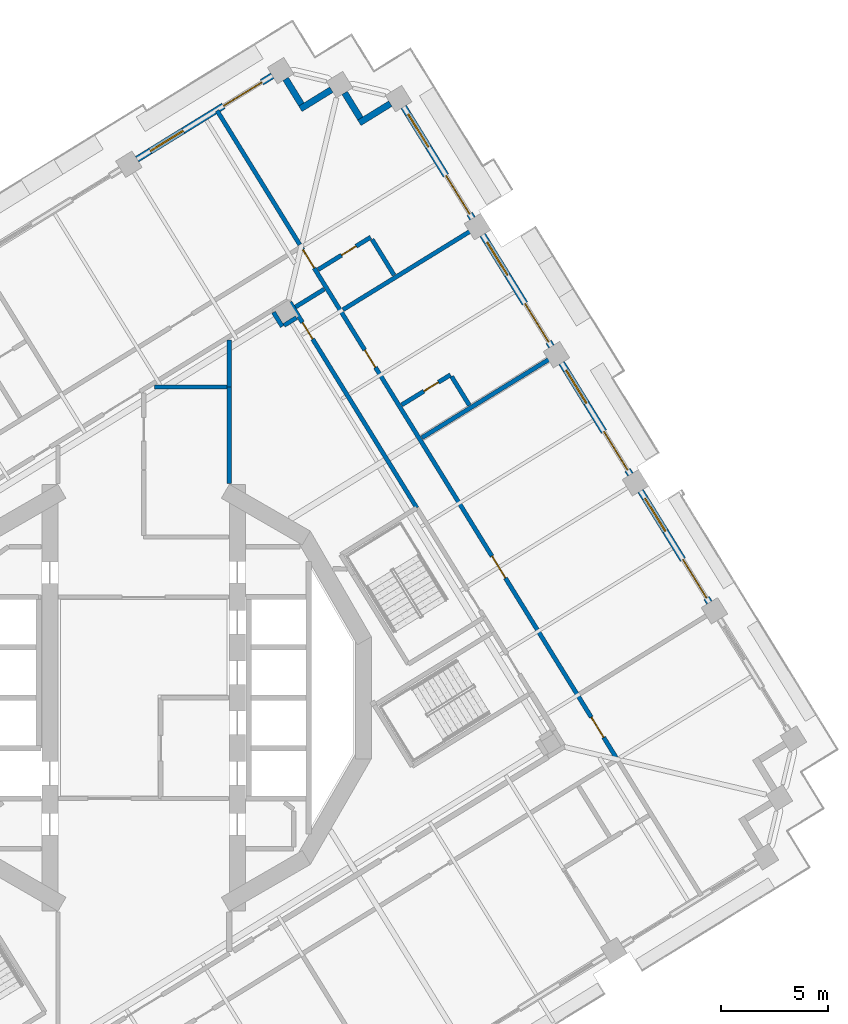
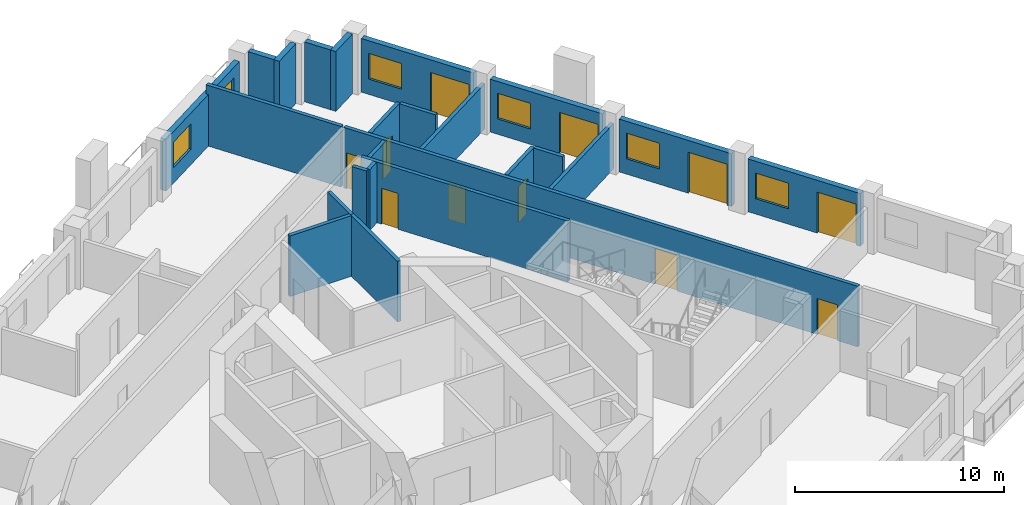
# One storey, part 10 of 20: 24 walls, 12 doors, 5 windows, 17 openings.
"""IFC4 building model written with IfcOpenShell, lengths in metres."""

from ifc_helpers import new_model, si_unit, direction, frame, frame_2d, origin, place, context, subcontext, project, spatial, rectangle, extrude, material, layer, layer_set, type_object, element, fill, save


model = new_model("IFC4")

# Units and contexts
model_context = context("Model", 3, precision=1e-05, world=origin(), true_north=direction((0.0, 1.0)))
body_context = subcontext(model_context, "Body", "Model", "MODEL_VIEW")
ifc_project = project(units=[si_unit("LENGTHUNIT", "METRE"), si_unit("AREAUNIT", "SQUARE_METRE"), si_unit("VOLUMEUNIT", "CUBIC_METRE"), si_unit("PLANEANGLEUNIT", "RADIAN"), si_unit("MASSUNIT", "GRAM", prefix="KILO")], contexts=[model_context])

# Site, building, storey
site_placement = place(None, origin())
site = spatial("IfcSite", under=ifc_project, at=site_placement, CompositionType="ELEMENT")
building_placement = place(site_placement, origin())
building = spatial("IfcBuilding", under=site, at=building_placement, Name="Cantera Rosa Tower", CompositionType="ELEMENT")
storey_placement = place(building_placement, frame((0.0, 0.0, 151.39990234375)))
storey = spatial("IfcBuildingStorey", under=building, at=storey_placement, Name="L32", CompositionType="ELEMENT", Elevation=151.39990234375)

# Walls
ifc_material_1 = material(Name="Gypsum board partition")
ifc_layer_1 = layer(ifc_material_1, 0.199951171875)
ifc_layer_set_1 = layer_set([ifc_layer_1], Name="CORRIDOR WALL 200 H3550")
wall_type_1 = type_object("IfcWallType", Name="CORRIDOR WALL 200 H3550", PredefinedType="PARTITIONING", material=ifc_layer_set_1)
wall_1_placement = place(storey_placement, frame((3.89990234375, 14.5, 0.0), z_axis=(0.0, 0.0, 1.0), x_axis=(-1.0, 0.0, 0.0)))
element("IfcWall", 1, at=wall_1_placement, inside=storey, type_object=wall_type_1, Name="CORRIDOR WALL L32-069", PredefinedType="PARTITIONING", context=body_context, shape_type="SweptSolid", body=[
    extrude(rectangle(XDim=3.38623046875, YDim=0.199951171875, at=frame_2d((1.693115234375, 0.0))), origin(), (0.0, 0.0, 1.0), 3.550048828125),
])
wall_2_placement = place(storey_placement, frame((4.0, 14.5, 0.0), z_axis=(0.0, 0.0, 1.0), x_axis=(0.0, 1.0, 0.0)))
element("IfcWall", 2, at=wall_2_placement, inside=storey, type_object=wall_type_1, Name="CORRIDOR WALL L32-070", PredefinedType="PARTITIONING", context=body_context, shape_type="SweptSolid", body=[
    extrude(rectangle(XDim=2.2001953125, YDim=0.199951171875, at=frame_2d((1.10009765625, 0.0))), origin(), (0.0, 0.0, 1.0), 3.550048828125),
])
wall_3_placement = place(storey_placement, frame((7.08154296875, 18.234619140625, 0.0), z_axis=(0.0, 0.0, 1.0), x_axis=(0.8511858258, 0.524864449127, 0.0)))
element("IfcWall", 3, at=wall_3_placement, inside=storey, type_object=wall_type_1, Name="CORRIDOR WALL L32-082", PredefinedType="PARTITIONING", context=body_context, shape_type="SweptSolid", body=[
    extrude(rectangle(XDim=1.580078125, YDim=0.199951171875, at=frame_2d((0.7900390625, 0.0))), origin(), (0.0, 0.0, 1.0), 3.550048828125),
])

# Wall, opening, door
wall_4_placement = place(storey_placement, frame((12.74560546875, 8.861328125, 0.0), z_axis=(0.0, 0.0, 1.0), x_axis=(-0.524983574612, 0.851112358263, 0.0)))
wall_4 = element("IfcWall", 4, at=wall_4_placement, inside=storey, type_object=wall_type_1, Name="CORRIDOR WALL L32-099", PredefinedType="PARTITIONING", context=body_context, shape_type="SweptSolid", body=[
    extrude(rectangle(XDim=11.279296875, YDim=0.199951171875, at=frame_2d((5.6396484375, 0.0))), origin(), (0.0, 0.0, 1.0), 3.550048828125),
])
opening_1_placement = place(wall_4_placement, frame((9.26171875, 0.0, 0.0)))
opening_1 = element("IfcOpeningElement", 5, at=opening_1_placement, cuts=wall_4, Name="Opening L32-005", PredefinedType="OPENING", context=body_context, shape_type="SweptSolid", body=[
    extrude(rectangle(XDim=0.89990234375, YDim=2.10009765625, at=frame_2d((0.449951171875, 1.050048828125))), frame((0.0, 0.10986328125, 0.0), z_axis=(0.0, -1.0, 0.0), x_axis=(1.0, 0.0, 0.0)), (0.0, 0.0, 1.0), 0.219970703125),
])
ifc_material_2 = material(Name="Timber door leaf", Category="wood")
door_type_1 = type_object("IfcDoorType", Name="SERVICE DOOR 900x2100", OperationType="NOTDEFINED", PredefinedType="DOOR", material=ifc_material_2)
door_1_placement = place(opening_1_placement, origin())
door_1 = element("IfcDoor", 6, at=door_1_placement, inside=storey, type_object=door_type_1, Name="DOOR L32-005", OperationType="NOTDEFINED", OverallHeight=2.10009765625, OverallWidth=0.89990234375, PredefinedType="DOOR", context=body_context, shape_type="SweptSolid", body=[
    extrude(rectangle(XDim=0.89990234375, YDim=2.10009765625, at=frame_2d((0.449951171875, 1.050048828125))), frame((0.0, 0.02490234375, 0.0), z_axis=(0.0, -1.0, 0.0), x_axis=(1.0, 0.0, 0.0)), (0.0, 0.0, 1.0), 0.050048828125),
])
fill(opening_1, door_1)

# Wall, openings, doors
wall_5_placement = place(storey_placement, frame((22.047607421875, -2.791015625, 0.0), z_axis=(0.0, 0.0, 1.0), x_axis=(-0.524972822833, 0.851118990087, 0.0)))
wall_5 = element("IfcWall", 7, at=wall_5_placement, inside=storey, type_object=wall_type_1, Name="CORRIDOR WALL L32-115", PredefinedType="PARTITIONING", context=body_context, shape_type="SweptSolid", body=[
    extrude(rectangle(XDim=28.0, YDim=0.199951171875, at=frame_2d((14.0, 0.0))), origin(), (0.0, 0.0, 1.0), 3.550048828125),
])
opening_2_placement = place(wall_5_placement, frame((9.840087890625, 0.0, 0.0)))
opening_2 = element("IfcOpeningElement", 8, at=opening_2_placement, cuts=wall_5, Name="Opening L32-019", PredefinedType="OPENING", context=body_context, shape_type="SweptSolid", body=[
    extrude(rectangle(XDim=1.199951171875, YDim=2.10009765625, at=frame_2d((0.60009765625, 1.050048828125))), frame((0.0, 0.10986328125, 0.0), z_axis=(0.0, -1.0, 0.0), x_axis=(1.0, 0.0, 0.0)), (0.0, 0.0, 1.0), 0.219970703125),
])
opening_3_placement = place(wall_5_placement, frame((21.39501953125, 0.0, 0.0)))
opening_3 = element("IfcOpeningElement", 9, at=opening_3_placement, cuts=wall_5, Name="Opening L32-020", PredefinedType="OPENING", context=body_context, shape_type="SweptSolid", body=[
    extrude(rectangle(XDim=0.949951171875, YDim=2.10009765625, at=frame_2d((0.47509765625, 1.050048828125))), frame((0.0, 0.10986328125, 0.0), z_axis=(0.0, -1.0, 0.0), x_axis=(1.0, 0.0, 0.0)), (0.0, 0.0, 1.0), 0.219970703125),
])
opening_4_placement = place(wall_5_placement, frame((1.110107421875, 0.0, 0.0)))
opening_4 = element("IfcOpeningElement", 10, at=opening_4_placement, cuts=wall_5, Name="Opening L32-022", PredefinedType="OPENING", context=body_context, shape_type="SweptSolid", body=[
    extrude(rectangle(XDim=1.10009765625, YDim=2.10009765625, at=frame_2d((0.550048828125, 1.050048828125))), frame((0.0, 0.10986328125, 0.0), z_axis=(0.0, -1.0, 0.0), x_axis=(1.0, 0.0, 0.0)), (0.0, 0.0, 1.0), 0.219970703125),
])
opening_5_placement = place(wall_5_placement, frame((26.840087890625, 0.0, 0.0)))
opening_5 = element("IfcOpeningElement", 11, at=opening_5_placement, cuts=wall_5, Name="Opening L32-023", PredefinedType="OPENING", context=body_context, shape_type="SweptSolid", body=[
    extrude(rectangle(XDim=1.0, YDim=2.10009765625, at=frame_2d((0.5, 1.050048828125))), frame((0.0, 0.10986328125, 0.0), z_axis=(0.0, -1.0, 0.0), x_axis=(1.0, 0.0, 0.0)), (0.0, 0.0, 1.0), 0.219970703125),
])
ifc_material_3 = material(Name="Timber door leaf", Category="wood")
door_type_2 = type_object("IfcDoorType", Name="ENTRANCE DOOR 1000x2100", OperationType="NOTDEFINED", PredefinedType="DOOR", material=ifc_material_3)
door_2_placement = place(opening_5_placement, origin())
door_2 = element("IfcDoor", 12, at=door_2_placement, inside=storey, type_object=door_type_2, Name="DOOR L32-023", OperationType="NOTDEFINED", OverallHeight=2.10009765625, OverallWidth=1.0, PredefinedType="DOOR", context=body_context, shape_type="SweptSolid", body=[
    extrude(rectangle(XDim=1.0, YDim=2.10009765625, at=frame_2d((0.5, 1.050048828125))), frame((0.0, 0.02490234375, 0.0), z_axis=(0.0, -1.0, 0.0), x_axis=(1.0, 0.0, 0.0)), (0.0, 0.0, 1.0), 0.050048828125),
])
fill(opening_5, door_2)
ifc_material_4 = material(Name="Timber door leaf", Category="wood")
door_type_3 = type_object("IfcDoorType", Name="ROOM DOOR 1100x2100", OperationType="NOTDEFINED", PredefinedType="DOOR", material=ifc_material_4)
door_3_placement = place(opening_4_placement, origin())
door_3 = element("IfcDoor", 13, at=door_3_placement, inside=storey, type_object=door_type_3, Name="DOOR L32-022", OperationType="NOTDEFINED", OverallHeight=2.10009765625, OverallWidth=1.10009765625, PredefinedType="DOOR", context=body_context, shape_type="SweptSolid", body=[
    extrude(rectangle(XDim=1.10009765625, YDim=2.10009765625, at=frame_2d((0.550048828125, 1.050048828125))), frame((0.0, 0.02490234375, 0.0), z_axis=(0.0, -1.0, 0.0), x_axis=(1.0, 0.0, 0.0)), (0.0, 0.0, 1.0), 0.050048828125),
])
fill(opening_4, door_3)
ifc_material_5 = material(Name="Timber door leaf", Category="wood")
door_type_4 = type_object("IfcDoorType", Name="ROOM DOOR 1200x2100", OperationType="NOTDEFINED", PredefinedType="DOOR", material=ifc_material_5)
door_4_placement = place(opening_2_placement, origin())
door_4 = element("IfcDoor", 14, at=door_4_placement, inside=storey, type_object=door_type_4, Name="DOOR L32-019", OperationType="NOTDEFINED", OverallHeight=2.10009765625, OverallWidth=1.199951171875, PredefinedType="DOOR", context=body_context, shape_type="SweptSolid", body=[
    extrude(rectangle(XDim=1.199951171875, YDim=2.10009765625, at=frame_2d((0.60009765625, 1.050048828125))), frame((0.0, 0.02490234375, 0.0), z_axis=(0.0, -1.0, 0.0), x_axis=(1.0, 0.0, 0.0)), (0.0, 0.0, 1.0), 0.050048828125),
])
fill(opening_2, door_4)
ifc_material_6 = material(Name="Timber door leaf", Category="wood")
door_type_5 = type_object("IfcDoorType", Name="ROOM DOOR 950x2100", OperationType="NOTDEFINED", PredefinedType="DOOR", material=ifc_material_6)
door_5_placement = place(opening_3_placement, origin())
door_5 = element("IfcDoor", 15, at=door_5_placement, inside=storey, type_object=door_type_5, Name="DOOR L32-020", OperationType="NOTDEFINED", OverallHeight=2.10009765625, OverallWidth=0.949951171875, PredefinedType="DOOR", context=body_context, shape_type="SweptSolid", body=[
    extrude(rectangle(XDim=0.949951171875, YDim=2.10009765625, at=frame_2d((0.47509765625, 1.050048828125))), frame((0.0, 0.02490234375, 0.0), z_axis=(0.0, -1.0, 0.0), x_axis=(1.0, 0.0, 0.0)), (0.0, 0.0, 1.0), 0.050048828125),
])
fill(opening_3, door_5)

# Walls
ifc_material_7 = material(Name="Hollow clay masonry with cantera stone cladding", Category="masonry")
ifc_layer_2 = layer(ifc_material_7, 0.300048828125)
ifc_layer_set_2 = layer_set([ifc_layer_2], Name="EW-LOGGIA 300")
wall_type_2 = type_object("IfcWallType", Name="EW-LOGGIA 300", PredefinedType="SOLIDWALL", material=ifc_layer_set_2)
wall_6_placement = place(storey_placement, frame((11.51123046875, 27.72021484375, 0.0), z_axis=(0.0, 0.0, 1.0), x_axis=(-0.851130227454, -0.524954603669, 0.0)))
element("IfcWall", 16, at=wall_6_placement, inside=storey, type_object=wall_type_2, Name="EN-L32-W06a", PredefinedType="SOLIDWALL", context=body_context, shape_type="SweptSolid", body=[
    extrude(rectangle(XDim=1.699951171875, YDim=0.300048828125, at=frame_2d((0.85009765625, 0.0))), origin(), (0.0, 0.0, 1.0), 3.5),
])
wall_7_placement = place(storey_placement, frame((10.11328125, 27.0341796875, 0.0), z_axis=(0.0, 0.0, 1.0), x_axis=(-0.524895019961, 0.85116697423, 0.0)))
element("IfcWall", 17, at=wall_7_placement, inside=storey, type_object=wall_type_2, Name="EN-L32-W06b", PredefinedType="SOLIDWALL", context=body_context, shape_type="SweptSolid", body=[
    extrude(rectangle(XDim=1.39990234375, YDim=0.300048828125, at=frame_2d((0.699951171875, 0.0))), origin(), (0.0, 0.0, 1.0), 3.5),
])
wall_8_placement = place(storey_placement, frame((8.75927734375, 28.37255859375, 0.0), z_axis=(0.0, 0.0, 1.0), x_axis=(-0.851105638601, -0.524994468487, 0.0)))
element("IfcWall", 18, at=wall_8_placement, inside=storey, type_object=wall_type_2, Name="EN-L32-W07a", PredefinedType="SOLIDWALL", context=body_context, shape_type="SweptSolid", body=[
    extrude(rectangle(XDim=1.7001953125, YDim=0.300048828125, at=frame_2d((0.85009765625, 0.0))), origin(), (0.0, 0.0, 1.0), 3.5),
])
wall_9_placement = place(storey_placement, frame((7.361083984375, 27.6865234375, 0.0), z_axis=(0.0, 0.0, 1.0), x_axis=(-0.524895019961, 0.85116697423, 0.0)))
element("IfcWall", 19, at=wall_9_placement, inside=storey, type_object=wall_type_2, Name="EN-L32-W07b", PredefinedType="SOLIDWALL", context=body_context, shape_type="SweptSolid", body=[
    extrude(rectangle(XDim=1.39990234375, YDim=0.300048828125, at=frame_2d((0.699951171875, 0.0))), origin(), (0.0, 0.0, 1.0), 3.5),
])

# Wall, openings, window, door
ifc_material_8 = material(Name="Hollow clay masonry with cantera stone cladding", Category="masonry")
ifc_layer_3 = layer(ifc_material_8, 0.300048828125)
ifc_layer_set_3 = layer_set([ifc_layer_3], Name="EW-LOGGIA 300 H3020")
wall_type_3 = type_object("IfcWallType", Name="EW-LOGGIA 300 H3020", PredefinedType="SOLIDWALL", material=ifc_layer_set_3)
wall_10_placement = place(storey_placement, frame((6.007080078125, 29.02490234375, 0.0), z_axis=(0.0, 0.0, 1.0), x_axis=(-0.851111085575, -0.524985637909, 0.0)))
wall_10 = element("IfcWall", 20, at=wall_10_placement, inside=storey, type_object=wall_type_3, Name="EN-L32-W08", PredefinedType="SOLIDWALL", context=body_context, shape_type="SweptSolid", body=[
    extrude(rectangle(XDim=7.420166015625, YDim=0.300048828125, at=frame_2d((3.7099609375, 0.0))), origin(), (0.0, 0.0, 1.0), 3.02001953125),
])
opening_6_placement = place(wall_10_placement, frame((0.580078125, 0.0, 0.0)))
opening_6 = element("IfcOpeningElement", 21, at=opening_6_placement, cuts=wall_10, Name="Opening L32-TD11", PredefinedType="OPENING", context=body_context, shape_type="SweptSolid", body=[
    extrude(rectangle(XDim=2.10009765625, YDim=2.39990234375, at=frame_2d((1.050048828125, 1.199951171875))), frame((0.0, 0.159912109375, 0.0), z_axis=(0.0, -1.0, 0.0), x_axis=(1.0, 0.0, 0.0)), (0.0, 0.0, 1.0), 0.320068359375),
])
opening_7_placement = place(wall_10_placement, frame((4.889892578125, 0.0, 0.89990234375)))
opening_7 = element("IfcOpeningElement", 22, at=opening_7_placement, cuts=wall_10, Name="Opening L32-W12", PredefinedType="OPENING", context=body_context, shape_type="SweptSolid", body=[
    extrude(rectangle(XDim=1.800048828125, YDim=1.5, at=frame_2d((0.89990234375, 0.75))), frame((0.0, 0.159912109375, 0.0), z_axis=(0.0, -1.0, 0.0), x_axis=(1.0, 0.0, 0.0)), (0.0, 0.0, 1.0), 0.320068359375),
])
ifc_material_9 = material(Name="Aluminium frame with clear glass", Category="aluminium")
window_type = type_object("IfcWindowType", Name="Hotel room window 1800x1500", PartitioningType="DOUBLE_PANEL_VERTICAL", PredefinedType="WINDOW", material=ifc_material_9)
window_1_placement = place(opening_7_placement, origin())
window_1 = element("IfcWindow", 23, at=window_1_placement, inside=storey, type_object=window_type, Name="WINDOW L32-W12", OverallHeight=1.5, OverallWidth=1.800048828125, PartitioningType="SINGLE_PANEL", PredefinedType="WINDOW", context=body_context, shape_type="SweptSolid", body=[
    extrude(rectangle(XDim=1.800048828125, YDim=1.5, at=frame_2d((0.89990234375, 0.75))), frame((0.0, 0.030029296875, 0.0), z_axis=(0.0, -1.0, 0.0), x_axis=(1.0, 0.0, 0.0)), (0.0, 0.0, 1.0), 0.06005859375),
])
fill(opening_7, window_1)
ifc_material_10 = material(Name="Aluminium frame with clear glass", Category="aluminium")
door_type_6 = type_object("IfcDoorType", Name="TD-H 2100x2400", OperationType="NOTDEFINED", PredefinedType="DOOR", material=ifc_material_10)
door_6_placement = place(opening_6_placement, origin())
door_6 = element("IfcDoor", 24, at=door_6_placement, inside=storey, type_object=door_type_6, Name="LOGGIA DOOR L32-TD11", OperationType="SLIDING_TO_LEFT", OverallHeight=2.39990234375, OverallWidth=2.10009765625, PredefinedType="DOOR", context=body_context, shape_type="SweptSolid", body=[
    extrude(rectangle(XDim=2.10009765625, YDim=2.39990234375, at=frame_2d((1.050048828125, 1.199951171875))), frame((0.0, 0.02490234375, 0.0), z_axis=(0.0, -1.0, 0.0), x_axis=(1.0, 0.0, 0.0)), (0.0, 0.0, 1.0), 0.050048828125),
])
fill(opening_6, door_6)

ifc_material_11 = material(Name="Hollow clay masonry with cantera stone cladding", Category="masonry")
ifc_layer_4 = layer(ifc_material_11, 0.300048828125)
ifc_layer_set_4 = layer_set([ifc_layer_4], Name="EW-LOGGIA 300 H3090")
wall_type_4 = type_object("IfcWallType", Name="EW-LOGGIA 300 H3090", PredefinedType="SOLIDWALL", material=ifc_layer_set_4)
wall_11_placement = place(storey_placement, frame((26.3994140625, 4.440185546875, 0.0), z_axis=(0.0, 0.0, 1.0), x_axis=(-0.524987447654, 0.851109969279, 0.0)))
wall_11 = element("IfcWall", 25, at=wall_11_placement, inside=storey, type_object=wall_type_4, Name="EN-L32-W02", PredefinedType="SOLIDWALL", context=body_context, shape_type="SweptSolid", body=[
    extrude(rectangle(XDim=6.119873046875, YDim=0.300048828125, at=frame_2d((3.06005859375, 0.0))), origin(), (0.0, 0.0, 1.0), 3.090087890625),
])
opening_8_placement = place(wall_11_placement, frame((0.2548828125, 0.0, 0.0)))
opening_8 = element("IfcOpeningElement", 26, at=opening_8_placement, cuts=wall_11, Name="Opening L32-TD03", PredefinedType="OPENING", context=body_context, shape_type="SweptSolid", body=[
    extrude(rectangle(XDim=2.10009765625, YDim=2.39990234375, at=frame_2d((1.050048828125, 1.199951171875))), frame((0.0, 0.159912109375, 0.0), z_axis=(0.0, -1.0, 0.0), x_axis=(1.0, 0.0, 0.0)), (0.0, 0.0, 1.0), 0.320068359375),
])
opening_9_placement = place(wall_11_placement, frame((3.9150390625, 0.0, 0.89990234375)))
opening_9 = element("IfcOpeningElement", 27, at=opening_9_placement, cuts=wall_11, Name="Opening L32-W04", PredefinedType="OPENING", context=body_context, shape_type="SweptSolid", body=[
    extrude(rectangle(XDim=1.800048828125, YDim=1.5, at=frame_2d((0.89990234375, 0.75))), frame((0.0, 0.159912109375, 0.0), z_axis=(0.0, -1.0, 0.0), x_axis=(1.0, 0.0, 0.0)), (0.0, 0.0, 1.0), 0.320068359375),
])
window_2_placement = place(opening_9_placement, origin())
window_2 = element("IfcWindow", 28, at=window_2_placement, inside=storey, type_object=window_type, Name="WINDOW L32-W04", OverallHeight=1.5, OverallWidth=1.800048828125, PartitioningType="SINGLE_PANEL", PredefinedType="WINDOW", context=body_context, shape_type="SweptSolid", body=[
    extrude(rectangle(XDim=1.800048828125, YDim=1.5, at=frame_2d((0.89990234375, 0.75))), frame((0.0, 0.030029296875, 0.0), z_axis=(0.0, -1.0, 0.0), x_axis=(1.0, 0.0, 0.0)), (0.0, 0.0, 1.0), 0.06005859375),
])
fill(opening_9, window_2)
door_7_placement = place(opening_8_placement, origin())
door_7 = element("IfcDoor", 29, at=door_7_placement, inside=storey, type_object=door_type_6, Name="LOGGIA DOOR L32-TD03", OperationType="SLIDING_TO_LEFT", OverallHeight=2.39990234375, OverallWidth=2.10009765625, PredefinedType="DOOR", context=body_context, shape_type="SweptSolid", body=[
    extrude(rectangle(XDim=2.10009765625, YDim=2.39990234375, at=frame_2d((1.050048828125, 1.199951171875))), frame((0.0, 0.02490234375, 0.0), z_axis=(0.0, -1.0, 0.0), x_axis=(1.0, 0.0, 0.0)), (0.0, 0.0, 1.0), 0.050048828125),
])
fill(opening_8, door_7)

wall_12_placement = place(storey_placement, frame((22.714111328125, 10.4150390625, 0.0), z_axis=(0.0, 0.0, 1.0), x_axis=(-0.524987447654, 0.851109969279, 0.0)))
wall_12 = element("IfcWall", 30, at=wall_12_placement, inside=storey, type_object=wall_type_4, Name="EN-L32-W03", PredefinedType="SOLIDWALL", context=body_context, shape_type="SweptSolid", body=[
    extrude(rectangle(XDim=6.119873046875, YDim=0.300048828125, at=frame_2d((3.06005859375, 0.0))), origin(), (0.0, 0.0, 1.0), 3.090087890625),
])
opening_10_placement = place(wall_12_placement, frame((0.2548828125, 0.0, 0.0)))
opening_10 = element("IfcOpeningElement", 31, at=opening_10_placement, cuts=wall_12, Name="Opening L32-TD05", PredefinedType="OPENING", context=body_context, shape_type="SweptSolid", body=[
    extrude(rectangle(XDim=2.10009765625, YDim=2.39990234375, at=frame_2d((1.050048828125, 1.199951171875))), frame((0.0, 0.159912109375, 0.0), z_axis=(0.0, -1.0, 0.0), x_axis=(1.0, 0.0, 0.0)), (0.0, 0.0, 1.0), 0.320068359375),
])
opening_11_placement = place(wall_12_placement, frame((3.9150390625, 0.0, 0.89990234375)))
opening_11 = element("IfcOpeningElement", 32, at=opening_11_placement, cuts=wall_12, Name="Opening L32-W06", PredefinedType="OPENING", context=body_context, shape_type="SweptSolid", body=[
    extrude(rectangle(XDim=1.800048828125, YDim=1.5, at=frame_2d((0.89990234375, 0.75))), frame((0.0, 0.159912109375, 0.0), z_axis=(0.0, -1.0, 0.0), x_axis=(1.0, 0.0, 0.0)), (0.0, 0.0, 1.0), 0.320068359375),
])
window_3_placement = place(opening_11_placement, origin())
window_3 = element("IfcWindow", 33, at=window_3_placement, inside=storey, type_object=window_type, Name="WINDOW L32-W06", OverallHeight=1.5, OverallWidth=1.800048828125, PartitioningType="SINGLE_PANEL", PredefinedType="WINDOW", context=body_context, shape_type="SweptSolid", body=[
    extrude(rectangle(XDim=1.800048828125, YDim=1.5, at=frame_2d((0.89990234375, 0.75))), frame((0.0, 0.030029296875, 0.0), z_axis=(0.0, -1.0, 0.0), x_axis=(1.0, 0.0, 0.0)), (0.0, 0.0, 1.0), 0.06005859375),
])
fill(opening_11, window_3)
door_8_placement = place(opening_10_placement, origin())
door_8 = element("IfcDoor", 34, at=door_8_placement, inside=storey, type_object=door_type_6, Name="LOGGIA DOOR L32-TD05", OperationType="SLIDING_TO_LEFT", OverallHeight=2.39990234375, OverallWidth=2.10009765625, PredefinedType="DOOR", context=body_context, shape_type="SweptSolid", body=[
    extrude(rectangle(XDim=2.10009765625, YDim=2.39990234375, at=frame_2d((1.050048828125, 1.199951171875))), frame((0.0, 0.02490234375, 0.0), z_axis=(0.0, -1.0, 0.0), x_axis=(1.0, 0.0, 0.0)), (0.0, 0.0, 1.0), 0.050048828125),
])
fill(opening_10, door_8)

wall_13_placement = place(storey_placement, frame((19.02880859375, 16.389892578125, 0.0), z_axis=(0.0, 0.0, 1.0), x_axis=(-0.524987447654, 0.851109969279, 0.0)))
wall_13 = element("IfcWall", 35, at=wall_13_placement, inside=storey, type_object=wall_type_4, Name="EN-L32-W04", PredefinedType="SOLIDWALL", context=body_context, shape_type="SweptSolid", body=[
    extrude(rectangle(XDim=6.119873046875, YDim=0.300048828125, at=frame_2d((3.06005859375, 0.0))), origin(), (0.0, 0.0, 1.0), 3.090087890625),
])
opening_12_placement = place(wall_13_placement, frame((0.2548828125, 0.0, 0.0)))
opening_12 = element("IfcOpeningElement", 36, at=opening_12_placement, cuts=wall_13, Name="Opening L32-TD07", PredefinedType="OPENING", context=body_context, shape_type="SweptSolid", body=[
    extrude(rectangle(XDim=2.10009765625, YDim=2.39990234375, at=frame_2d((1.050048828125, 1.199951171875))), frame((0.0, 0.159912109375, 0.0), z_axis=(0.0, -1.0, 0.0), x_axis=(1.0, 0.0, 0.0)), (0.0, 0.0, 1.0), 0.320068359375),
])
opening_13_placement = place(wall_13_placement, frame((3.9150390625, 0.0, 0.89990234375)))
opening_13 = element("IfcOpeningElement", 37, at=opening_13_placement, cuts=wall_13, Name="Opening L32-W08", PredefinedType="OPENING", context=body_context, shape_type="SweptSolid", body=[
    extrude(rectangle(XDim=1.800048828125, YDim=1.5, at=frame_2d((0.89990234375, 0.75))), frame((0.0, 0.159912109375, 0.0), z_axis=(0.0, -1.0, 0.0), x_axis=(1.0, 0.0, 0.0)), (0.0, 0.0, 1.0), 0.320068359375),
])
window_4_placement = place(opening_13_placement, origin())
window_4 = element("IfcWindow", 38, at=window_4_placement, inside=storey, type_object=window_type, Name="WINDOW L32-W08", OverallHeight=1.5, OverallWidth=1.800048828125, PartitioningType="SINGLE_PANEL", PredefinedType="WINDOW", context=body_context, shape_type="SweptSolid", body=[
    extrude(rectangle(XDim=1.800048828125, YDim=1.5, at=frame_2d((0.89990234375, 0.75))), frame((0.0, 0.030029296875, 0.0), z_axis=(0.0, -1.0, 0.0), x_axis=(1.0, 0.0, 0.0)), (0.0, 0.0, 1.0), 0.06005859375),
])
fill(opening_13, window_4)
door_9_placement = place(opening_12_placement, origin())
door_9 = element("IfcDoor", 39, at=door_9_placement, inside=storey, type_object=door_type_6, Name="LOGGIA DOOR L32-TD07", OperationType="SLIDING_TO_LEFT", OverallHeight=2.39990234375, OverallWidth=2.10009765625, PredefinedType="DOOR", context=body_context, shape_type="SweptSolid", body=[
    extrude(rectangle(XDim=2.10009765625, YDim=2.39990234375, at=frame_2d((1.050048828125, 1.199951171875))), frame((0.0, 0.02490234375, 0.0), z_axis=(0.0, -1.0, 0.0), x_axis=(1.0, 0.0, 0.0)), (0.0, 0.0, 1.0), 0.050048828125),
])
fill(opening_12, door_9)

ifc_material_12 = material(Name="Hollow clay masonry with cantera stone cladding", Category="masonry")
ifc_layer_5 = layer(ifc_material_12, 0.300048828125)
ifc_layer_set_5 = layer_set([ifc_layer_5], Name="EW-LOGGIA 300 H3140")
wall_type_5 = type_object("IfcWallType", Name="EW-LOGGIA 300 H3140", PredefinedType="SOLIDWALL", material=ifc_layer_set_5)
wall_14_placement = place(storey_placement, frame((15.343505859375, 22.36474609375, 0.0), z_axis=(0.0, 0.0, 1.0), x_axis=(-0.524987447654, 0.851109969279, 0.0)))
wall_14 = element("IfcWall", 40, at=wall_14_placement, inside=storey, type_object=wall_type_5, Name="EN-L32-W05", PredefinedType="SOLIDWALL", context=body_context, shape_type="SweptSolid", body=[
    extrude(rectangle(XDim=6.119873046875, YDim=0.300048828125, at=frame_2d((3.06005859375, 0.0))), origin(), (0.0, 0.0, 1.0), 3.14013671875),
])
opening_14_placement = place(wall_14_placement, frame((0.2548828125, 0.0, 0.0)))
opening_14 = element("IfcOpeningElement", 41, at=opening_14_placement, cuts=wall_14, Name="Opening L32-TD09", PredefinedType="OPENING", context=body_context, shape_type="SweptSolid", body=[
    extrude(rectangle(XDim=2.10009765625, YDim=2.39990234375, at=frame_2d((1.050048828125, 1.199951171875))), frame((0.0, 0.159912109375, 0.0), z_axis=(0.0, -1.0, 0.0), x_axis=(1.0, 0.0, 0.0)), (0.0, 0.0, 1.0), 0.320068359375),
])
opening_15_placement = place(wall_14_placement, frame((3.9150390625, 0.0, 0.89990234375)))
opening_15 = element("IfcOpeningElement", 42, at=opening_15_placement, cuts=wall_14, Name="Opening L32-W10", PredefinedType="OPENING", context=body_context, shape_type="SweptSolid", body=[
    extrude(rectangle(XDim=1.800048828125, YDim=1.5, at=frame_2d((0.89990234375, 0.75))), frame((0.0, 0.159912109375, 0.0), z_axis=(0.0, -1.0, 0.0), x_axis=(1.0, 0.0, 0.0)), (0.0, 0.0, 1.0), 0.320068359375),
])
window_5_placement = place(opening_15_placement, origin())
window_5 = element("IfcWindow", 43, at=window_5_placement, inside=storey, type_object=window_type, Name="WINDOW L32-W10", OverallHeight=1.5, OverallWidth=1.800048828125, PartitioningType="SINGLE_PANEL", PredefinedType="WINDOW", context=body_context, shape_type="SweptSolid", body=[
    extrude(rectangle(XDim=1.800048828125, YDim=1.5, at=frame_2d((0.89990234375, 0.75))), frame((0.0, 0.030029296875, 0.0), z_axis=(0.0, -1.0, 0.0), x_axis=(1.0, 0.0, 0.0)), (0.0, 0.0, 1.0), 0.06005859375),
])
fill(opening_15, window_5)
door_10_placement = place(opening_14_placement, origin())
door_10 = element("IfcDoor", 44, at=door_10_placement, inside=storey, type_object=door_type_6, Name="LOGGIA DOOR L32-TD09", OperationType="SLIDING_TO_LEFT", OverallHeight=2.39990234375, OverallWidth=2.10009765625, PredefinedType="DOOR", context=body_context, shape_type="SweptSolid", body=[
    extrude(rectangle(XDim=2.10009765625, YDim=2.39990234375, at=frame_2d((1.050048828125, 1.199951171875))), frame((0.0, 0.02490234375, 0.0), z_axis=(0.0, -1.0, 0.0), x_axis=(1.0, 0.0, 0.0)), (0.0, 0.0, 1.0), 0.050048828125),
])
fill(opening_14, door_10)

# Walls
ifc_material_13 = material(Name="Gypsum board partition")
ifc_layer_6 = layer(ifc_material_13, 0.199951171875)
ifc_layer_set_6 = layer_set([ifc_layer_6], Name="PARTITION 200 H3550")
wall_type_6 = type_object("IfcWallType", Name="PARTITION 200 H3550", PredefinedType="PARTITIONING", material=ifc_layer_set_6)
wall_15_placement = place(storey_placement, frame((4.0, 9.994140625, 0.0), z_axis=(0.0, 0.0, 1.0), x_axis=(0.0, 1.0, 0.0)))
element("IfcWall", 45, at=wall_15_placement, inside=storey, type_object=wall_type_6, Name="PARTITION L32-068", PredefinedType="PARTITIONING", context=body_context, shape_type="SweptSolid", body=[
    extrude(rectangle(XDim=4.505859375, YDim=0.199951171875, at=frame_2d((2.2529296875, 0.0))), origin(), (0.0, 0.0, 1.0), 3.550048828125),
])
wall_16_placement = place(storey_placement, frame((6.058349609375, 17.98876953125, 0.0), z_axis=(0.0, 0.0, 1.0), x_axis=(0.524813124932, -0.851217471566, 0.0)))
element("IfcWall", 46, at=wall_16_placement, inside=storey, type_object=wall_type_6, Name="PARTITION L32-076", PredefinedType="PARTITIONING", context=body_context, shape_type="SweptSolid", body=[
    extrude(rectangle(XDim=0.780029296875, YDim=0.199951171875, at=frame_2d((0.39013671875, 0.0))), origin(), (0.0, 0.0, 1.0), 3.550048828125),
])
wall_17_placement = place(storey_placement, frame((6.552978515625, 17.377197265625, 0.0), z_axis=(0.0, 0.0, 1.0), x_axis=(0.850930166337, 0.525278832638, 0.0)))
element("IfcWall", 47, at=wall_17_placement, inside=storey, type_object=wall_type_6, Name="PARTITION L32-078", PredefinedType="PARTITIONING", context=body_context, shape_type="SweptSolid", body=[
    extrude(rectangle(XDim=0.679931640625, YDim=0.199951171875, at=frame_2d((0.33984375, 0.0))), origin(), (0.0, 0.0, 1.0), 3.550048828125),
])

# Wall, opening, door
wall_18_placement = place(storey_placement, frame((8.1435546875, 19.979736328125, 0.0), z_axis=(0.0, 0.0, 1.0), x_axis=(0.851107741162, 0.524991059862, 0.0)))
wall_18 = element("IfcWall", 48, at=wall_18_placement, inside=storey, type_object=wall_type_6, Name="PARTITION L32-089", PredefinedType="PARTITIONING", context=body_context, shape_type="SweptSolid", body=[
    extrude(rectangle(XDim=2.8798828125, YDim=0.199951171875, at=frame_2d((1.43994140625, 0.0))), origin(), (0.0, 0.0, 1.0), 3.550048828125),
])
opening_16_placement = place(wall_18_placement, frame((1.280029296875, 0.0, 0.0)))
opening_16 = element("IfcOpeningElement", 49, at=opening_16_placement, cuts=wall_18, Name="Opening L32-024", PredefinedType="OPENING", context=body_context, shape_type="SweptSolid", body=[
    extrude(rectangle(XDim=0.800048828125, YDim=2.10009765625, at=frame_2d((0.39990234375, 1.050048828125))), frame((0.0, 0.10986328125, 0.0), z_axis=(0.0, -1.0, 0.0), x_axis=(1.0, 0.0, 0.0)), (0.0, 0.0, 1.0), 0.219970703125),
])
ifc_material_14 = material(Name="Timber door leaf", Category="wood")
door_type_7 = type_object("IfcDoorType", Name="BATHROOM DOOR 800x2100", OperationType="NOTDEFINED", PredefinedType="DOOR", material=ifc_material_14)
door_11_placement = place(opening_16_placement, origin())
door_11 = element("IfcDoor", 50, at=door_11_placement, inside=storey, type_object=door_type_7, Name="DOOR L32-024", OperationType="NOTDEFINED", OverallHeight=2.10009765625, OverallWidth=0.800048828125, PredefinedType="DOOR", context=body_context, shape_type="SweptSolid", body=[
    extrude(rectangle(XDim=0.800048828125, YDim=2.10009765625, at=frame_2d((0.39990234375, 1.050048828125))), frame((0.0, 0.02490234375, 0.0), z_axis=(0.0, -1.0, 0.0), x_axis=(1.0, 0.0, 0.0)), (0.0, 0.0, 1.0), 0.050048828125),
])
fill(opening_16, door_11)

# Wall
wall_19_placement = place(storey_placement, frame((10.65771484375, 21.3896484375, 0.0), z_axis=(0.0, 0.0, 1.0), x_axis=(0.525007514528, -0.851097591167, 0.0)))
element("IfcWall", 51, at=wall_19_placement, inside=storey, type_object=wall_type_6, Name="PARTITION L32-093", PredefinedType="PARTITIONING", context=body_context, shape_type="SweptSolid", body=[
    extrude(rectangle(XDim=1.9599609375, YDim=0.199951171875, at=frame_2d((0.97998046875, 0.0))), origin(), (0.0, 0.0, 1.0), 3.550048828125),
])

# Wall, opening, door
wall_20_placement = place(storey_placement, frame((12.038818359375, 13.66455078125, 0.0), z_axis=(0.0, 0.0, 1.0), x_axis=(0.851110493934, 0.524986597082, 0.0)))
wall_20 = element("IfcWall", 52, at=wall_20_placement, inside=storey, type_object=wall_type_6, Name="PARTITION L32-097", PredefinedType="PARTITIONING", context=body_context, shape_type="SweptSolid", body=[
    extrude(rectangle(XDim=2.679931640625, YDim=0.199951171875, at=frame_2d((1.33984375, 0.0))), origin(), (0.0, 0.0, 1.0), 3.550048828125),
])
opening_17_placement = place(wall_20_placement, frame((1.216064453125, 0.0, 0.0)))
opening_17 = element("IfcOpeningElement", 53, at=opening_17_placement, cuts=wall_20, Name="Opening L32-021", PredefinedType="OPENING", context=body_context, shape_type="SweptSolid", body=[
    extrude(rectangle(XDim=0.800048828125, YDim=2.10009765625, at=frame_2d((0.39990234375, 1.050048828125))), frame((0.0, 0.10986328125, 0.0), z_axis=(0.0, -1.0, 0.0), x_axis=(1.0, 0.0, 0.0)), (0.0, 0.0, 1.0), 0.219970703125),
])
door_12_placement = place(opening_17_placement, origin())
door_12 = element("IfcDoor", 54, at=door_12_placement, inside=storey, type_object=door_type_7, Name="DOOR L32-021", OperationType="NOTDEFINED", OverallHeight=2.10009765625, OverallWidth=0.800048828125, PredefinedType="DOOR", context=body_context, shape_type="SweptSolid", body=[
    extrude(rectangle(XDim=0.800048828125, YDim=2.10009765625, at=frame_2d((0.39990234375, 1.050048828125))), frame((0.0, 0.02490234375, 0.0), z_axis=(0.0, -1.0, 0.0), x_axis=(1.0, 0.0, 0.0)), (0.0, 0.0, 1.0), 0.050048828125),
])
fill(opening_17, door_12)

# Walls
wall_21_placement = place(storey_placement, frame((14.372314453125, 14.986328125, 0.0), z_axis=(0.0, 0.0, 1.0), x_axis=(0.525045417929, -0.851074208933, 0.0)))
element("IfcWall", 55, at=wall_21_placement, inside=storey, type_object=wall_type_6, Name="PARTITION L32-102", PredefinedType="PARTITIONING", context=body_context, shape_type="SweptSolid", body=[
    extrude(rectangle(XDim=1.580078125, YDim=0.199951171875, at=frame_2d((0.7900390625, 0.0))), origin(), (0.0, 0.0, 1.0), 3.550048828125),
])
ifc_material_15 = material(Name="Gypsum board partition")
ifc_layer_7 = layer(ifc_material_15, 0.199951171875)
ifc_layer_set_7 = layer_set([ifc_layer_7], Name="PARTY WALL 200 H2650")
wall_type_7 = type_object("IfcWallType", Name="PARTY WALL 200 H2650", PredefinedType="PARTITIONING", material=ifc_layer_set_7)
wall_22_placement = place(storey_placement, frame((9.29833984375, 18.107421875, 0.0), z_axis=(0.0, 0.0, 1.0), x_axis=(0.851133272812, 0.524949666075, 0.0)))
element("IfcWall", 56, at=wall_22_placement, inside=storey, type_object=wall_type_7, Name="PARTY WALL L32-091", PredefinedType="PARTITIONING", context=body_context, shape_type="SweptSolid", body=[
    extrude(rectangle(XDim=7.35009765625, YDim=0.199951171875, at=frame_2d((3.675048828125, 0.0))), origin(), (0.0, 0.0, 1.0), 2.650146484375),
])
wall_23_placement = place(storey_placement, frame((12.98388671875, 12.132568359375, 0.0), z_axis=(0.0, 0.0, 1.0), x_axis=(0.851109277096, 0.52498856982, 0.0)))
element("IfcWall", 57, at=wall_23_placement, inside=storey, type_object=wall_type_7, Name="PARTY WALL L32-101", PredefinedType="PARTITIONING", context=body_context, shape_type="SweptSolid", body=[
    extrude(rectangle(XDim=7.349853515625, YDim=0.199951171875, at=frame_2d((3.6748046875, 0.0))), origin(), (0.0, 0.0, 1.0), 2.650146484375),
])
ifc_material_16 = material(Name="Gypsum board partition")
ifc_layer_8 = layer(ifc_material_16, 0.199951171875)
ifc_layer_set_8 = layer_set([ifc_layer_8], Name="PARTY WALL 200 H3550")
wall_type_8 = type_object("IfcWallType", Name="PARTY WALL 200 H3550", PredefinedType="PARTITIONING", material=ifc_layer_set_8)
wall_24_placement = place(storey_placement, frame((7.285400390625, 21.142333984375, 0.0), z_axis=(0.0, 0.0, 1.0), x_axis=(-0.524973728225, 0.851118431638, 0.0)))
element("IfcWall", 58, at=wall_24_placement, inside=storey, type_object=wall_type_8, Name="PARTY WALL L32-084", PredefinedType="PARTITIONING", context=body_context, shape_type="SweptSolid", body=[
    extrude(rectangle(XDim=7.35009765625, YDim=0.199951171875, at=frame_2d((3.675048828125, 0.0))), origin(), (0.0, 0.0, 1.0), 3.550048828125),
])

save(model, "model.ifc")
